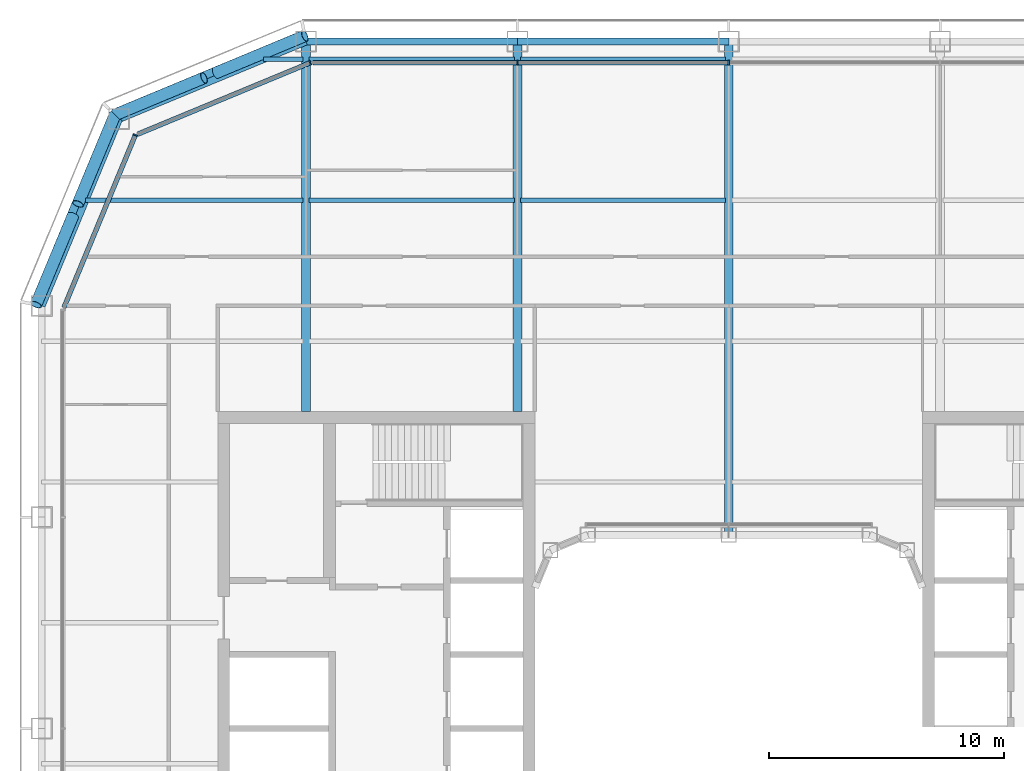
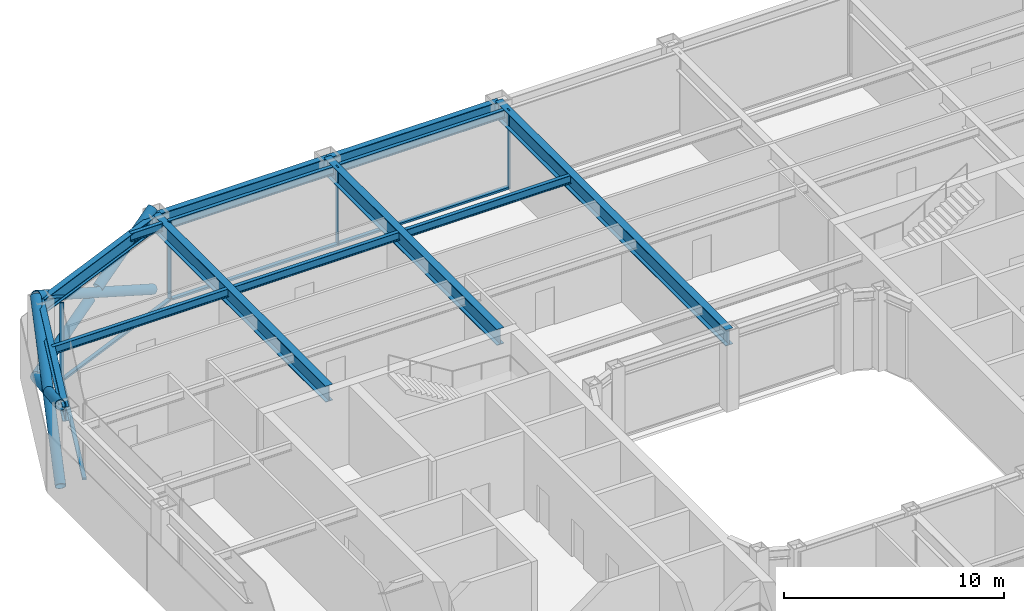
# One storey, part 7 of 23: 14 members, 13 beams, 3 elements without a shape of their own.
"""IFC4 building model written with IfcOpenShell, lengths in metres."""

from ifc_helpers import new_model, si_unit, direction, frame, origin, origin_2d, place, context, subcontext, project, spatial, rectangle, hollow_circle, i_section, extrude, material, layer, layer_set, material_profile, profile_set, type_object, element, aggregate, save


model = new_model("IFC4")

# Units and contexts
model_context = context("Model", 3, precision=1e-05, world=origin(), true_north=direction((0.0, 1.0)))
body_context = subcontext(model_context, "Body", "Model", "MODEL_VIEW")
ifc_project = project(units=[si_unit("LENGTHUNIT", "METRE"), si_unit("AREAUNIT", "SQUARE_METRE"), si_unit("VOLUMEUNIT", "CUBIC_METRE"), si_unit("PLANEANGLEUNIT", "RADIAN"), si_unit("MASSUNIT", "GRAM", prefix="KILO")], contexts=[model_context])

# Site, building, storey
site_placement = place(None, origin())
site = spatial("IfcSite", under=ifc_project, at=site_placement, CompositionType="ELEMENT")
building_placement = place(site_placement, origin())
building = spatial("IfcBuilding", under=site, at=building_placement, Name="Siwar Civic Tower", CompositionType="ELEMENT")
storey_placement = place(building_placement, frame((0.0, 0.0, 163.199951171875)))
storey = spatial("IfcBuildingStorey", under=building, at=storey_placement, Name="L35", CompositionType="ELEMENT", Elevation=163.199951171875)

# Curtain wall, members
ifc_material_1 = material(Name="Aluminium and glass", Category="aluminium")
ifc_layer_1 = layer(ifc_material_1, 0.199951171875)
ifc_layer_set_1 = layer_set([ifc_layer_1], Name="Aluminium and glass")
curtain_wall_type_1 = type_object("IfcCurtainWallType", Name="ENV-CW-B", PredefinedType="NOTDEFINED", material=ifc_layer_set_1)
curtain_wall_1_placement = place(storey_placement, origin())
curtain_wall_1 = element("IfcCurtainWall", 1, at=curtain_wall_1_placement, inside=storey, type_object=curtain_wall_type_1, Name="Curtain wall B N", PredefinedType="NOTDEFINED")
ifc_material_2 = material(Name="Aluminium 6063-T6", Category="aluminium")
ifc_material_profile_1 = material_profile(ifc_material_2, rectangle(XDim=0.199951171875, YDim=0.06494140625, at=origin_2d()), Name="AL 200x65")
ifc_profile_set_1 = profile_set([ifc_material_profile_1], Name="Aluminium 6063-T6")
member_type_1 = type_object("IfcMemberType", Name="ENV-MULLION-B", PredefinedType="MULLION", material=ifc_profile_set_1)
member_1_placement = place(storey_placement, frame((0.0, 28.35009765625, 0.0), z_axis=(0.0, 0.0, 1.0), x_axis=(0.0, -1.0, 0.0)))
member_1 = element("IfcMember", 2, at=member_1_placement, type_object=member_type_1, Name="Mullion B N 3", PredefinedType="MULLION", context=body_context, shape_type="SweptSolid", body=[
    extrude(rectangle(XDim=0.199951171875, YDim=0.06494140625, at=origin_2d()), origin(), (0.0, 0.0, 1.0), 4.35009765625),
])
member_2_placement = place(storey_placement, frame((-9.0, 28.35009765625, 0.0), z_axis=(0.0, 0.0, 1.0), x_axis=(0.0, -1.0, 0.0)))
member_2 = element("IfcMember", 3, at=member_2_placement, type_object=member_type_1, Name="Mullion B N 4", PredefinedType="MULLION", context=body_context, shape_type="SweptSolid", body=[
    extrude(rectangle(XDim=0.199951171875, YDim=0.06494140625, at=origin_2d()), origin(), (0.0, 0.0, 1.0), 4.35009765625),
])

# Curtain wall, member
ifc_material_3 = material(Name="Aluminium clad insulated panel", Category="aluminium")
ifc_layer_2 = layer(ifc_material_3, 0.199951171875)
ifc_layer_set_2 = layer_set([ifc_layer_2], Name="Aluminium clad insulated panel")
curtain_wall_type_2 = type_object("IfcCurtainWallType", Name="ENV-CW-BX", PredefinedType="NOTDEFINED", material=ifc_layer_set_2)
curtain_wall_2_placement = place(storey_placement, origin())
curtain_wall_2 = element("IfcCurtainWall", 4, at=curtain_wall_2_placement, inside=storey, type_object=curtain_wall_type_2, Name="Curtain wall B NW1", PredefinedType="NOTDEFINED")
member_3_placement = place(storey_placement, frame((-17.821044921875, 28.35009765625, 0.0), z_axis=(0.0, 0.0, 1.0), x_axis=(0.382683432365, -0.923879532511, 0.0)))
member_3 = element("IfcMember", 5, at=member_3_placement, type_object=member_type_1, Name="Mullion B NW1 1", PredefinedType="MULLION", context=body_context, shape_type="SweptSolid", body=[
    extrude(rectangle(XDim=0.199951171875, YDim=0.06494140625, at=origin_2d()), origin(), (0.0, 0.0, 1.0), 4.35009765625),
])

curtain_wall_3_placement = place(storey_placement, origin())
curtain_wall_3 = element("IfcCurtainWall", 6, at=curtain_wall_3_placement, inside=storey, type_object=curtain_wall_type_2, Name="Curtain wall B NW2", PredefinedType="NOTDEFINED")
member_4_placement = place(storey_placement, frame((-25.26611328125, 25.26611328125, 0.0), z_axis=(0.0, 0.0, 1.0), x_axis=(0.923879532511, -0.382683432365, 0.0)))
member_4 = element("IfcMember", 7, at=member_4_placement, type_object=member_type_1, Name="Mullion B NW2 1", PredefinedType="MULLION", context=body_context, shape_type="SweptSolid", body=[
    extrude(rectangle(XDim=0.199951171875, YDim=0.06494140625, at=origin_2d()), origin(), (0.0, 0.0, 1.0), 4.35009765625),
])

# Member
ifc_material_4 = material(Name="Aluminium 6063-T6", Category="aluminium")
ifc_material_profile_2 = material_profile(ifc_material_4, rectangle(XDim=0.199951171875, YDim=0.110107421875, at=origin_2d()), Name="AL 200x110")
ifc_profile_set_2 = profile_set([ifc_material_profile_2], Name="Aluminium 6063-T6")
member_type_2 = type_object("IfcMemberType", Name="ENV-TRANSOM-B", PredefinedType="USERDEFINED", material=ifc_profile_set_2)
member_5_placement = place(storey_placement, frame((-0.032470703125, 28.35009765625, 0.054931640625), z_axis=(-1.0, 0.0, 0.0), x_axis=(0.0, -1.0, 0.0)))
member_5 = element("IfcMember", 8, at=member_5_placement, type_object=member_type_2, Name="Transom B N 3", ObjectType="TRANSOM", PredefinedType="USERDEFINED", context=body_context, shape_type="SweptSolid", body=[
    extrude(rectangle(XDim=0.199951171875, YDim=0.110107421875, at=origin_2d()), origin(), (0.0, 0.0, 1.0), 8.93505859375),
])

member_6_placement = place(storey_placement, frame((-9.032470703125, 28.35009765625, 0.054931640625), z_axis=(-1.0, 0.0, 0.0), x_axis=(0.0, -1.0, 0.0)))
member_6 = element("IfcMember", 9, at=member_6_placement, type_object=member_type_2, Name="Transom B N 4", ObjectType="TRANSOM", PredefinedType="USERDEFINED", context=body_context, shape_type="SweptSolid", body=[
    extrude(rectangle(XDim=0.199951171875, YDim=0.110107421875, at=origin_2d()), origin(), (0.0, 0.0, 1.0), 8.6748046875),
])

aggregate(curtain_wall_1, [member_1, member_2, member_5, member_6])

member_7_placement = place(storey_placement, frame((-17.85107421875, 28.337646484375, 0.054931640625), z_axis=(-0.92387279587, -0.382699695651, 0.0), x_axis=(0.382699695651, -0.92387279587, 0.0)))
member_7 = element("IfcMember", 10, at=member_7_placement, type_object=member_type_2, Name="Transom B NW1 1", ObjectType="TRANSOM", PredefinedType="USERDEFINED", context=body_context, shape_type="SweptSolid", body=[
    extrude(rectangle(XDim=0.199951171875, YDim=0.110107421875, at=origin_2d()), origin(), (0.0, 0.0, 1.0), 7.912353515625),
])

aggregate(curtain_wall_2, [member_3, member_7])

member_8_placement = place(storey_placement, frame((-25.278564453125, 25.236083984375, 0.054931640625), z_axis=(-0.382673358825, -0.923883705044, 0.0), x_axis=(0.923883705044, -0.382673358825, 0.0)))
member_8 = element("IfcMember", 11, at=member_8_placement, type_object=member_type_2, Name="Transom B NW2 1", ObjectType="TRANSOM", PredefinedType="USERDEFINED", context=body_context, shape_type="SweptSolid", body=[
    extrude(rectangle(XDim=0.199951171875, YDim=0.110107421875, at=origin_2d()), origin(), (0.0, 0.0, 1.0), 7.912353515625),
])

aggregate(curtain_wall_3, [member_4, member_8])

# Members
ifc_material_5 = material(Name="Steel S355", Category="steel")
ifc_material_profile_3 = material_profile(ifc_material_5, hollow_circle(Radius=0.25390625, WallThickness=0.02490234375, at=origin_2d()), Name="CHS508x25")
ifc_profile_set_3 = profile_set([ifc_material_profile_3], Name="Steel S355")
member_type_3 = type_object("IfcMemberType", Name="STR-BR-CHS508x25", PredefinedType="BRACE", material=ifc_profile_set_3)
member_9_placement = place(storey_placement, frame((-29.4951171875, 18.048828125, 0.0), z_axis=(0.341671493852, 0.821142553604, 0.457149315816), x_axis=(-0.923264922524, 0.384163874976, 0.0)))
element("IfcMember", 12, at=member_9_placement, inside=storey, type_object=member_type_3, Name="L35/brc/BNW1-14-0-1", PredefinedType="BRACE", context=body_context, shape_type="SweptSolid", body=[
    extrude(hollow_circle(Radius=0.25390625, WallThickness=0.02490234375, at=origin_2d()), origin(), (0.0, 0.0, 1.0), 9.843505859375),
])
member_10_placement = place(storey_placement, frame((-26.1318359375, 26.1318359375, 0.0), z_axis=(-0.341662474736, -0.821143275065, 0.457154760636), x_axis=(0.923268638995, -0.384154943021, 0.0)))
element("IfcMember", 13, at=member_10_placement, inside=storey, type_object=member_type_3, Name="L35/brc/BNW1-14-0-2", PredefinedType="BRACE", context=body_context, shape_type="SweptSolid", body=[
    extrude(hollow_circle(Radius=0.25390625, WallThickness=0.02490234375, at=origin_2d()), origin(), (0.0, 0.0, 1.0), 4.61474609375),
])
member_11_placement = place(storey_placement, frame((-27.91845703125, 21.837890625, 2.390625), z_axis=(-0.34168558233, -0.821145902409, 0.457132770413), x_axis=(0.923259859753, -0.384176042158, 0.0)))
element("IfcMember", 14, at=member_11_placement, inside=storey, type_object=member_type_3, Name="L35/brc/BNW1-14-0-3", PredefinedType="BRACE", context=body_context, shape_type="SweptSolid", body=[
    extrude(hollow_circle(Radius=0.25390625, WallThickness=0.02490234375, at=origin_2d()), origin(), (0.0, 0.0, 1.0), 4.6142578125),
])
member_12_placement = place(storey_placement, frame((-18.048828125, 29.4951171875, 0.0), z_axis=(-0.821142553604, -0.341671493852, 0.457149315816), x_axis=(0.384163874976, -0.923264922524, 0.0)))
element("IfcMember", 15, at=member_12_placement, inside=storey, type_object=member_type_3, Name="L35/brc/BNW1-14-0-0", PredefinedType="BRACE", context=body_context, shape_type="SweptSolid", body=[
    extrude(hollow_circle(Radius=0.25390625, WallThickness=0.02490234375, at=origin_2d()), origin(), (0.0, 0.0, 1.0), 9.843505859375),
])
member_13_placement = place(storey_placement, frame((-26.1318359375, 26.1318359375, 0.0), z_axis=(0.821143275065, 0.341662474736, 0.457154760636), x_axis=(-0.384154943021, 0.923268638995, 0.0)))
element("IfcMember", 16, at=member_13_placement, inside=storey, type_object=member_type_3, Name="L35/brc/BNW1-14-0-4", PredefinedType="BRACE", context=body_context, shape_type="SweptSolid", body=[
    extrude(hollow_circle(Radius=0.25390625, WallThickness=0.02490234375, at=origin_2d()), origin(), (0.0, 0.0, 1.0), 4.61474609375),
])
member_14_placement = place(storey_placement, frame((-21.837890625, 27.91845703125, 2.390625), z_axis=(0.821145902409, 0.34168558233, 0.457132770413), x_axis=(-0.384176042158, 0.923259859753, 0.0)))
element("IfcMember", 17, at=member_14_placement, inside=storey, type_object=member_type_3, Name="L35/brc/BNW1-14-0-5", PredefinedType="BRACE", context=body_context, shape_type="SweptSolid", body=[
    extrude(hollow_circle(Radius=0.25390625, WallThickness=0.02490234375, at=origin_2d()), origin(), (0.0, 0.0, 1.0), 4.6142578125),
])

# Beams
ifc_material_6 = material(Name="Steel S355", Category="steel")
ifc_material_profile_4 = material_profile(ifc_material_6, i_section(OverallWidth=0.18994140625, OverallDepth=0.449951171875, WebThickness=0.009521484375, FlangeThickness=0.0146484375, FilletRadius=0.02099609375, at=origin_2d()), Name="IPE450")
ifc_profile_set_4 = profile_set([ifc_material_profile_4], Name="Steel S355")
beam_type_1 = type_object("IfcBeamType", Name="STR-FB-IPE450", PredefinedType="JOIST", material=ifc_profile_set_4)
beam_1_placement = place(storey_placement, frame((-27.385986328125, 22.5, 4.125), z_axis=(1.0, 0.0, 0.0), x_axis=(0.0, 1.0, 0.0)))
element("IfcBeam", 18, at=beam_1_placement, inside=storey, type_object=beam_type_1, Name="L35/bm/F037", PredefinedType="JOIST", context=body_context, shape_type="SweptSolid", body=[
    extrude(i_section(OverallWidth=0.18994140625, OverallDepth=0.449951171875, WebThickness=0.009521484375, FlangeThickness=0.0146484375, FilletRadius=0.02099609375, at=origin_2d()), origin(), (0.0, 0.0, 1.0), 9.256103515625),
])
for number, where, z_axis, x_axis, name in (
    (19, (-17.8701171875, 22.5, 4.125), (1.0, 0.0, 0.0), (0.0, 1.0, 0.0), "L35/bm/F038"),
    (20, (-8.8701171875, 22.5, 4.125), (1.0, 0.0, 0.0), (0.0, 1.0, 0.0), "L35/bm/F039"),
):
    element("IfcBeam", number, at=place(storey_placement, frame(where, z_axis=z_axis, x_axis=x_axis)), inside=storey, type_object=beam_type_1, Name=name, PredefinedType="JOIST", context=body_context, shape_type="SweptSolid", body=[
        extrude(i_section(OverallWidth=0.18994140625, OverallDepth=0.449951171875, WebThickness=0.009521484375, FlangeThickness=0.0146484375, FilletRadius=0.02099609375, at=origin_2d()), origin(), (0.0, 0.0, 1.0), 8.740234375),
    ])
beam_2_placement = place(storey_placement, frame((-19.810546875, 28.5, 4.125), z_axis=(1.0, 0.0, 0.0), x_axis=(0.0, 1.0, 0.0)))
element("IfcBeam", 21, at=beam_2_placement, inside=storey, type_object=beam_type_1, Name="L35/bm/F043", PredefinedType="JOIST", context=body_context, shape_type="SweptSolid", body=[
    extrude(i_section(OverallWidth=0.18994140625, OverallDepth=0.449951171875, WebThickness=0.009521484375, FlangeThickness=0.0146484375, FilletRadius=0.02099609375, at=origin_2d()), origin(), (0.0, 0.0, 1.0), 1.6806640625),
])
for number, where, z_axis, x_axis, name in (
    (22, (-17.8701171875, 28.5, 4.125), (1.0, 0.0, 0.0), (0.0, 1.0, 0.0), "L35/bm/F044"),
    (23, (-8.8701171875, 28.5, 4.125), (1.0, 0.0, 0.0), (0.0, 1.0, 0.0), "L35/bm/F045"),
):
    element("IfcBeam", number, at=place(storey_placement, frame(where, z_axis=z_axis, x_axis=x_axis)), inside=storey, type_object=beam_type_1, Name=name, PredefinedType="JOIST", context=body_context, shape_type="SweptSolid", body=[
        extrude(i_section(OverallWidth=0.18994140625, OverallDepth=0.449951171875, WebThickness=0.009521484375, FlangeThickness=0.0146484375, FilletRadius=0.02099609375, at=origin_2d()), origin(), (0.0, 0.0, 1.0), 8.740234375),
    ])
ifc_material_7 = material(Name="Steel S355", Category="steel")
ifc_material_profile_5 = material_profile(ifc_material_7, i_section(OverallWidth=0.3798828125, OverallDepth=0.89990234375, WebThickness=0.01611328125, FlangeThickness=0.035888671875, at=origin_2d()), Name="PG900x380x16x36")
ifc_profile_set_5 = profile_set([ifc_material_profile_5], Name="Steel S355")
beam_type_2 = type_object("IfcBeamType", Name="STR-PG-PG900x380x16x36", PredefinedType="BEAM", material=ifc_profile_set_5)
for number, where, z_axis, x_axis, name in (
    (24, (-18.0, 13.5, 3.900146484375), (0.0, 1.0, 0.0), (-1.0, 0.0, 0.0), "L35/bm/G02"),
    (25, (-9.0, 13.5, 3.900146484375), (0.0, 1.0, 0.0), (-1.0, 0.0, 0.0), "L35/bm/G04"),
):
    element("IfcBeam", number, at=place(storey_placement, frame(where, z_axis=z_axis, x_axis=x_axis)), inside=storey, type_object=beam_type_2, Name=name, PredefinedType="BEAM", context=body_context, shape_type="SweptSolid", body=[
        extrude(i_section(OverallWidth=0.3798828125, OverallDepth=0.89990234375, WebThickness=0.01611328125, FlangeThickness=0.035888671875, at=origin_2d()), origin(), (0.0, 0.0, 1.0), 15.75),
    ])
beam_3_placement = place(storey_placement, frame((0.0, 8.25, 3.900146484375), z_axis=(0.0, 1.0, 0.0), x_axis=(-1.0, 0.0, 0.0)))
element("IfcBeam", 26, at=beam_3_placement, inside=storey, type_object=beam_type_2, Name="L35/bm/G06", PredefinedType="BEAM", context=body_context, shape_type="SweptSolid", body=[
    extrude(i_section(OverallWidth=0.3798828125, OverallDepth=0.89990234375, WebThickness=0.01611328125, FlangeThickness=0.035888671875, at=origin_2d()), origin(), (0.0, 0.0, 1.0), 21.0),
])
ifc_material_8 = material(Name="Steel S355", Category="steel")
ifc_material_profile_6 = material_profile(ifc_material_8, i_section(OverallWidth=0.300048828125, OverallDepth=0.800048828125, WebThickness=0.017578125, FlangeThickness=0.032958984375, FilletRadius=0.030029296875, at=origin_2d()), Name="HEB800")
ifc_profile_set_6 = profile_set([ifc_material_profile_6], Name="Steel S355")
beam_type_3 = type_object("IfcBeamType", Name="STR-SB-HEB800", PredefinedType="BEAM", material=ifc_profile_set_6)
for number, where, z_axis, x_axis, name in (
    (27, (0.0, 29.25, 3.949951171875), (-1.0, 0.0, 0.0), (0.0, -1.0, 0.0), "L35/bm/SN-2"),
    (28, (-9.0, 29.25, 3.949951171875), (-1.0, 0.0, 0.0), (0.0, -1.0, 0.0), "L35/bm/SN-3"),
):
    element("IfcBeam", number, at=place(storey_placement, frame(where, z_axis=z_axis, x_axis=x_axis)), inside=storey, type_object=beam_type_3, Name=name, PredefinedType="BEAM", context=body_context, shape_type="SweptSolid", body=[
        extrude(i_section(OverallWidth=0.300048828125, OverallDepth=0.800048828125, WebThickness=0.017578125, FlangeThickness=0.032958984375, FilletRadius=0.030029296875, at=origin_2d()), origin(), (0.0, 0.0, 1.0), 9.0),
    ])
for number, where, z_axis, x_axis, name in (
    (29, (-18.0, 29.25, 3.949951171875), (-0.923872720536, -0.382699877515, 0.0), (0.382699877515, -0.923872720536, 0.0), "L35/bm/SNW1-0"),
    (30, (-25.954833984375, 25.954833984375, 3.949951171875), (-0.382699877515, -0.923872720536, 0.0), (0.923872720536, -0.382699877515, 0.0), "L35/bm/SNW2-0"),
):
    element("IfcBeam", number, at=place(storey_placement, frame(where, z_axis=z_axis, x_axis=x_axis)), inside=storey, type_object=beam_type_3, Name=name, PredefinedType="BEAM", context=body_context, shape_type="SweptSolid", body=[
        extrude(i_section(OverallWidth=0.300048828125, OverallDepth=0.800048828125, WebThickness=0.017578125, FlangeThickness=0.032958984375, FilletRadius=0.030029296875, at=origin_2d()), origin(), (0.0, 0.0, 1.0), 8.6103515625),
    ])

save(model, "model.ifc")
